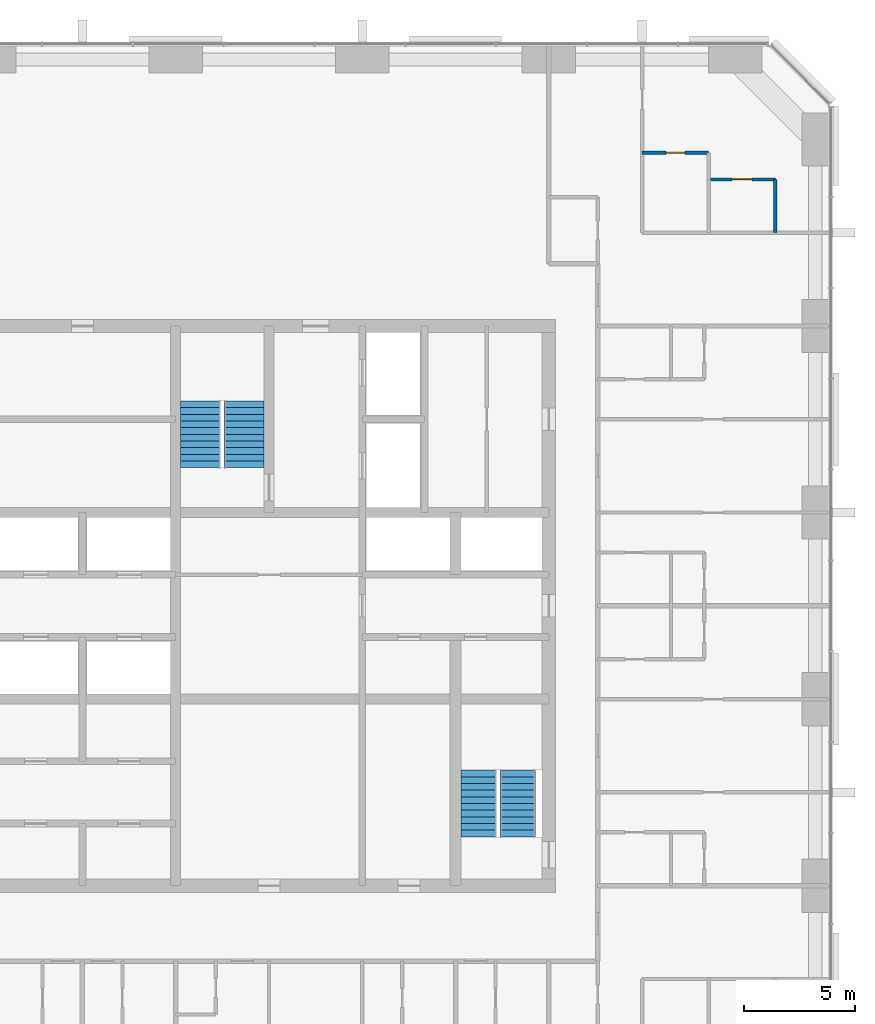
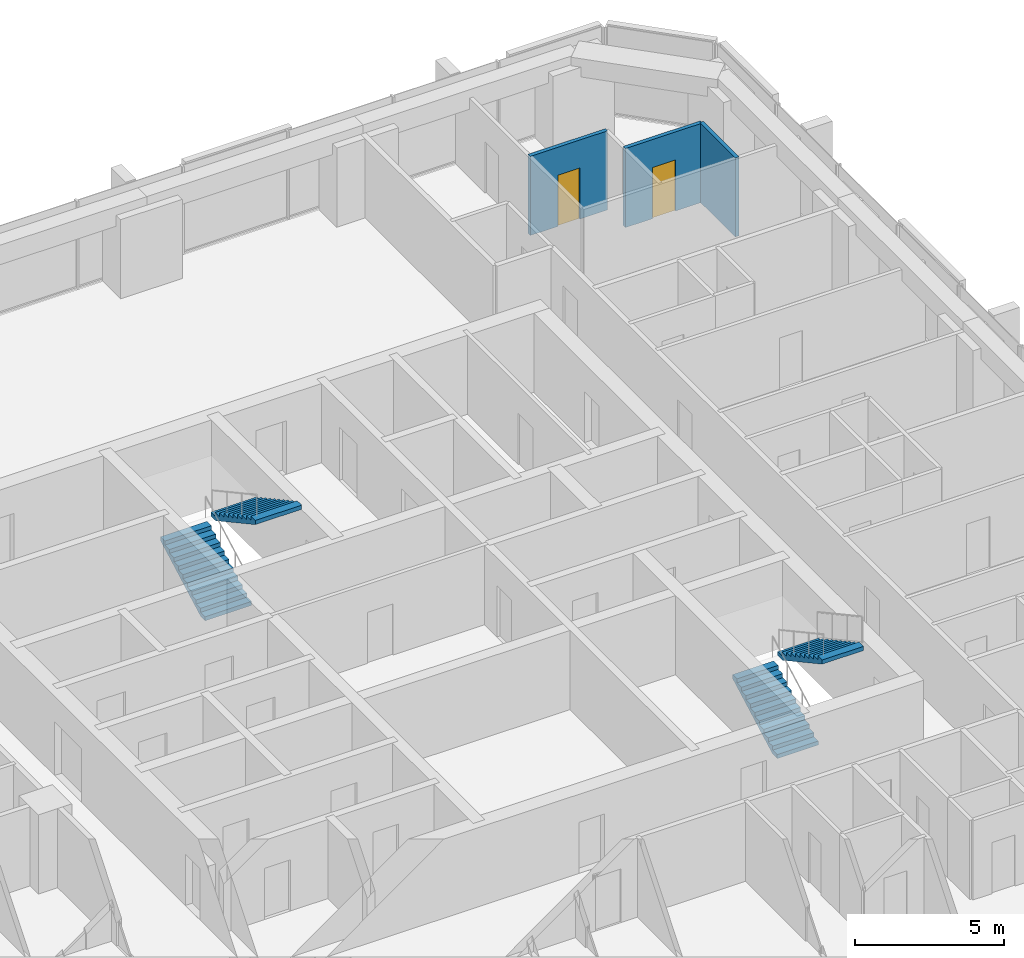
# One storey, part 13 of 14: 4 stair flights, 3 walls, 2 doors, 2 openings, 2 elements without a shape of their own.
"""IFC4 building model written with IfcOpenShell, lengths in metres."""

from ifc_helpers import new_model, si_unit, direction, frame, frame_2d, origin, place, context, subcontext, project, spatial, polyline, rectangle, outline, extrude, material, layer, layer_set, type_object, element, fill, aggregate, save


model = new_model("IFC4")

# Units and contexts
model_context = context("Model", 3, precision=1e-05, world=origin(), true_north=direction((0.0, 1.0)))
body_context = subcontext(model_context, "Body", "Model", "MODEL_VIEW")
ifc_project = project(units=[si_unit("LENGTHUNIT", "METRE"), si_unit("AREAUNIT", "SQUARE_METRE"), si_unit("VOLUMEUNIT", "CUBIC_METRE"), si_unit("PLANEANGLEUNIT", "RADIAN"), si_unit("MASSUNIT", "GRAM", prefix="KILO")], contexts=[model_context])

# Site, building, storey
site_placement = place(None, origin())
site = spatial("IfcSite", under=ifc_project, at=site_placement, CompositionType="ELEMENT")
building_placement = place(site_placement, origin())
building = spatial("IfcBuilding", under=site, at=building_placement, Name="Dunama Terrace Hotel", CompositionType="ELEMENT")
storey_placement = place(building_placement, frame((0.0, 0.0, 202.199951171875)))
storey = spatial("IfcBuildingStorey", under=building, at=storey_placement, Name="L52", CompositionType="ELEMENT", Elevation=202.199951171875)

# Wall, opening, door
ifc_material_1 = material(Name="Gypsum board partition", Category="masonry")
ifc_layer_1 = layer(ifc_material_1, 0.14990234375)
ifc_layer_set_1 = layer_set([ifc_layer_1], Name="Bathroom partition 150")
wall_type_1 = type_object("IfcWallType", Name="Bathroom partition 150", PredefinedType="PARTITIONING", material=ifc_layer_set_1)
wall_1_placement = place(storey_placement, frame((46.199951171875, 49.800048828125, 0.0), z_axis=(0.0, 0.0, 1.0), x_axis=(1.0, 0.0, 0.0)))
wall_1 = element("IfcWall", 1, at=wall_1_placement, inside=storey, type_object=wall_type_1, Name="Bathroom partition 150 L52", PredefinedType="PARTITIONING", context=body_context, shape_type="SweptSolid", body=[
    extrude(rectangle(XDim=3.0, YDim=0.14990234375, at=frame_2d((1.5, 0.0))), origin(), (0.0, 0.0, 1.0), 3.25),
])
opening_1_placement = place(wall_1_placement, frame((1.074951171875, 0.0, 0.0)))
opening_1 = element("IfcOpeningElement", 2, at=opening_1_placement, cuts=wall_1, Name="Opening L51-52-066", PredefinedType="OPENING", context=body_context, shape_type="SweptSolid", body=[
    extrude(rectangle(XDim=0.85009765625, YDim=2.10009765625, at=frame_2d((0.425048828125, 1.050048828125))), frame((0.0, 0.0849609375, 0.0), z_axis=(0.0, -1.0, 0.0), x_axis=(1.0, 0.0, 0.0)), (0.0, 0.0, 1.0), 0.169921875),
])
ifc_material_2 = material(Name="Timber door with steel frame", Category="steel")
door_type_1 = type_object("IfcDoorType", Name="Bathroom door 850", OperationType="SINGLE_SWING_LEFT", PredefinedType="DOOR", material=ifc_material_2)
door_1_placement = place(opening_1_placement, frame((0.85009765625, 0.0, 0.0), z_axis=(0.0, 0.0, 1.0), x_axis=(-1.0, 0.0, 0.0)))
door_1 = element("IfcDoor", 3, at=door_1_placement, inside=storey, type_object=door_type_1, Name="Door to en-suite bathroom L51-52-066, type D2", OperationType="SINGLE_SWING_LEFT", OverallHeight=2.10009765625, OverallWidth=0.85009765625, PredefinedType="DOOR", context=body_context, shape_type="SweptSolid", body=[
    extrude(rectangle(XDim=0.85009765625, YDim=2.10009765625, at=frame_2d((0.425048828125, 1.050048828125))), frame((0.0, 0.025146484375, 0.0), z_axis=(0.0, -1.0, 0.0), x_axis=(1.0, 0.0, 0.0)), (0.0, 0.0, 1.0), 0.050048828125),
])
fill(opening_1, door_1)

# Wall
ifc_material_3 = material(Name="Gypsum board partition", Category="masonry")
ifc_layer_2 = layer(ifc_material_3, 0.14990234375)
ifc_layer_set_2 = layer_set([ifc_layer_2], Name="Room partition 150")
wall_type_2 = type_object("IfcWallType", Name="Room partition 150", PredefinedType="PARTITIONING", material=ifc_layer_set_2)
wall_2_placement = place(storey_placement, frame((52.199951171875, 46.199951171875, 0.0), z_axis=(0.0, 0.0, 1.0), x_axis=(0.0, 1.0, 0.0)))
element("IfcWall", 4, at=wall_2_placement, inside=storey, type_object=wall_type_2, Name="Room partition 150 L52", PredefinedType="PARTITIONING", context=body_context, shape_type="SweptSolid", body=[
    extrude(rectangle(XDim=2.400146484375, YDim=0.14990234375, at=frame_2d((1.2001953125, 0.0))), origin(), (0.0, 0.0, 1.0), 3.25),
])

# Wall, opening, door
wall_3_placement = place(storey_placement, frame((49.199951171875, 48.60009765625, 0.0), z_axis=(0.0, 0.0, 1.0), x_axis=(1.0, 0.0, 0.0)))
wall_3 = element("IfcWall", 5, at=wall_3_placement, inside=storey, type_object=wall_type_2, Name="Room partition 150 L52", PredefinedType="PARTITIONING", context=body_context, shape_type="SweptSolid", body=[
    extrude(rectangle(XDim=3.0, YDim=0.14990234375, at=frame_2d((1.5, 0.0))), origin(), (0.0, 0.0, 1.0), 3.25),
])
opening_2_placement = place(wall_3_placement, frame((1.050048828125, 0.0, 0.0)))
opening_2 = element("IfcOpeningElement", 6, at=opening_2_placement, cuts=wall_3, Name="Opening L51-52-067", PredefinedType="OPENING", context=body_context, shape_type="SweptSolid", body=[
    extrude(rectangle(XDim=0.89990234375, YDim=2.10009765625, at=frame_2d((0.449951171875, 1.050048828125))), frame((0.0, 0.0849609375, 0.0), z_axis=(0.0, -1.0, 0.0), x_axis=(1.0, 0.0, 0.0)), (0.0, 0.0, 1.0), 0.169921875),
])
ifc_material_4 = material(Name="Timber door with steel frame", Category="steel")
door_type_2 = type_object("IfcDoorType", Name="Suite internal door 900", OperationType="SINGLE_SWING_LEFT", PredefinedType="DOOR", material=ifc_material_4)
door_2_placement = place(opening_2_placement, frame((0.89990234375, 0.0, 0.0), z_axis=(0.0, 0.0, 1.0), x_axis=(-1.0, 0.0, 0.0)))
door_2 = element("IfcDoor", 7, at=door_2_placement, inside=storey, type_object=door_type_2, Name="Door to dressing room L51-52-067, type D16", OperationType="SINGLE_SWING_RIGHT", OverallHeight=2.10009765625, OverallWidth=0.89990234375, PredefinedType="DOOR", context=body_context, shape_type="SweptSolid", body=[
    extrude(rectangle(XDim=0.89990234375, YDim=2.10009765625, at=frame_2d((0.449951171875, 1.050048828125))), frame((0.0, 0.025146484375, 0.0), z_axis=(0.0, -1.0, 0.0), x_axis=(1.0, 0.0, 0.0)), (0.0, 0.0, 1.0), 0.050048828125),
])
fill(opening_2, door_2)

# Stair, stair flights
ifc_material_5 = material(Name="Concrete C40/50", Category="concrete")
stair_type_1 = type_object("IfcStairType", Name="Stair ST1-3600-1800", PredefinedType="HALF_TURN_STAIR", material=ifc_material_5)
stair_1_placement = place(storey_placement, origin())
stair_1 = element("IfcStair", 8, at=stair_1_placement, inside=storey, type_object=stair_type_1, Name="Stair ST1 L52", PredefinedType="HALF_TURN_STAIR")
ifc_material_6 = material(Name="Concrete C40/50", Category="concrete")
stair_flight_type_1 = type_object("IfcStairFlightType", Name="Stair flight ST1-3600-1800", PredefinedType="STRAIGHT", material=ifc_material_6)
stair_flight_1_placement = place(storey_placement, frame((26.324951171875, 35.625, 0.0), z_axis=(0.0, 0.0, 1.0), x_axis=(0.0, 1.0, 0.0)))
stair_flight_1 = element("IfcStairFlight", 9, at=stair_flight_1_placement, type_object=stair_flight_type_1, Name="ST1 flight 1", NumberOfRisers=11, NumberOfTreads=10, PredefinedType="STRAIGHT", RiserHeight=0.163636364, TreadLength=0.3, context=body_context, shape_type="SweptSolid", body=[
    extrude(outline(polyline([(0.0, 0.0), (0.0, 0.16357421875), (0.300048828125, 0.16357421875), (0.300048828125, 0.327392578125), (0.60009765625, 0.327392578125), (0.60009765625, 0.490966796875), (0.89990234375, 0.490966796875), (0.89990234375, 0.654541015625), (1.199951171875, 0.654541015625), (1.199951171875, 0.818115234375), (1.5, 0.818115234375), (1.5, 0.98193359375), (1.800048828125, 0.98193359375), (1.800048828125, 1.1455078125), (2.10009765625, 1.1455078125), (2.10009765625, 1.30908203125), (2.39990234375, 1.30908203125), (2.39990234375, 1.47265625), (2.699951171875, 1.47265625), (2.699951171875, 1.636474609375), (3.0, 1.636474609375), (3.0, 1.800048828125), (3.0, 1.465576171875), (0.31298828125, 0.0), (0.0, 0.0)])), frame((0.0, 0.89990234375, 0.0), z_axis=(0.0, -1.0, 0.0), x_axis=(1.0, 0.0, 0.0)), (0.0, 0.0, 1.0), 1.800048828125),
])
stair_flight_2_placement = place(storey_placement, frame((28.27490234375, 38.625, 1.800048828125), z_axis=(0.0, 0.0, 1.0), x_axis=(0.0, -1.0, 0.0)))
stair_flight_2 = element("IfcStairFlight", 10, at=stair_flight_2_placement, type_object=stair_flight_type_1, Name="ST1 flight 2", NumberOfRisers=11, NumberOfTreads=10, PredefinedType="STRAIGHT", RiserHeight=0.163636364, TreadLength=0.3, context=body_context, shape_type="SweptSolid", body=[
    extrude(outline(polyline([(0.0, 0.0), (0.0, 0.16357421875), (0.300048828125, 0.16357421875), (0.300048828125, 0.327392578125), (0.60009765625, 0.327392578125), (0.60009765625, 0.490966796875), (0.89990234375, 0.490966796875), (0.89990234375, 0.654541015625), (1.199951171875, 0.654541015625), (1.199951171875, 0.818115234375), (1.5, 0.818115234375), (1.5, 0.98193359375), (1.800048828125, 0.98193359375), (1.800048828125, 1.1455078125), (2.10009765625, 1.1455078125), (2.10009765625, 1.30908203125), (2.39990234375, 1.30908203125), (2.39990234375, 1.47265625), (2.699951171875, 1.47265625), (2.699951171875, 1.636474609375), (3.0, 1.636474609375), (3.0, 1.800048828125), (3.0, 1.465576171875), (0.31298828125, 0.0), (0.0, 0.0)])), frame((0.0, 0.89990234375, 0.0), z_axis=(0.0, -1.0, 0.0), x_axis=(1.0, 0.0, 0.0)), (0.0, 0.0, 1.0), 1.800048828125),
])
aggregate(stair_1, [stair_flight_1, stair_flight_2])

ifc_material_7 = material(Name="Concrete C40/50", Category="concrete")
stair_type_2 = type_object("IfcStairType", Name="Stair ST2-3600-1600", PredefinedType="HALF_TURN_STAIR", material=ifc_material_7)
stair_2_placement = place(storey_placement, origin())
stair_2 = element("IfcStair", 11, at=stair_2_placement, inside=storey, type_object=stair_type_2, Name="Stair ST2 L52", PredefinedType="HALF_TURN_STAIR")
ifc_material_8 = material(Name="Concrete C40/50", Category="concrete")
stair_flight_type_2 = type_object("IfcStairFlightType", Name="Stair flight ST2-3600-1600", PredefinedType="STRAIGHT", material=ifc_material_8)
stair_flight_3_placement = place(storey_placement, frame((38.85009765625, 19.0, 0.0), z_axis=(0.0, 0.0, 1.0), x_axis=(0.0, 1.0, 0.0)))
stair_flight_3 = element("IfcStairFlight", 12, at=stair_flight_3_placement, type_object=stair_flight_type_2, Name="ST2 flight 1", NumberOfRisers=11, NumberOfTreads=10, PredefinedType="STRAIGHT", RiserHeight=0.163636364, TreadLength=0.3, context=body_context, shape_type="SweptSolid", body=[
    extrude(outline(polyline([(0.0, 0.0), (0.0, 0.16357421875), (0.300048828125, 0.16357421875), (0.300048828125, 0.327392578125), (0.60009765625, 0.327392578125), (0.60009765625, 0.490966796875), (0.89990234375, 0.490966796875), (0.89990234375, 0.654541015625), (1.199951171875, 0.654541015625), (1.199951171875, 0.818115234375), (1.5, 0.818115234375), (1.5, 0.98193359375), (1.800048828125, 0.98193359375), (1.800048828125, 1.1455078125), (2.10009765625, 1.1455078125), (2.10009765625, 1.30908203125), (2.39990234375, 1.30908203125), (2.39990234375, 1.47265625), (2.699951171875, 1.47265625), (2.699951171875, 1.636474609375), (3.0, 1.636474609375), (3.0, 1.800048828125), (3.0, 1.465576171875), (0.31298828125, 0.0), (0.0, 0.0)])), frame((0.0, 0.800048828125, 0.0), z_axis=(0.0, -1.0, 0.0), x_axis=(1.0, 0.0, 0.0)), (0.0, 0.0, 1.0), 1.60009765625),
])
stair_flight_4_placement = place(storey_placement, frame((40.60009765625, 22.0, 1.800048828125), z_axis=(0.0, 0.0, 1.0), x_axis=(0.0, -1.0, 0.0)))
stair_flight_4 = element("IfcStairFlight", 13, at=stair_flight_4_placement, type_object=stair_flight_type_2, Name="ST2 flight 2", NumberOfRisers=11, NumberOfTreads=10, PredefinedType="STRAIGHT", RiserHeight=0.163636364, TreadLength=0.3, context=body_context, shape_type="SweptSolid", body=[
    extrude(outline(polyline([(0.0, 0.0), (0.0, 0.16357421875), (0.300048828125, 0.16357421875), (0.300048828125, 0.327392578125), (0.60009765625, 0.327392578125), (0.60009765625, 0.490966796875), (0.89990234375, 0.490966796875), (0.89990234375, 0.654541015625), (1.199951171875, 0.654541015625), (1.199951171875, 0.818115234375), (1.5, 0.818115234375), (1.5, 0.98193359375), (1.800048828125, 0.98193359375), (1.800048828125, 1.1455078125), (2.10009765625, 1.1455078125), (2.10009765625, 1.30908203125), (2.39990234375, 1.30908203125), (2.39990234375, 1.47265625), (2.699951171875, 1.47265625), (2.699951171875, 1.636474609375), (3.0, 1.636474609375), (3.0, 1.800048828125), (3.0, 1.465576171875), (0.31298828125, 0.0), (0.0, 0.0)])), frame((0.0, 0.800048828125, 0.0), z_axis=(0.0, -1.0, 0.0), x_axis=(1.0, 0.0, 0.0)), (0.0, 0.0, 1.0), 1.60009765625),
])
aggregate(stair_2, [stair_flight_3, stair_flight_4])

save(model, "model.ifc")
